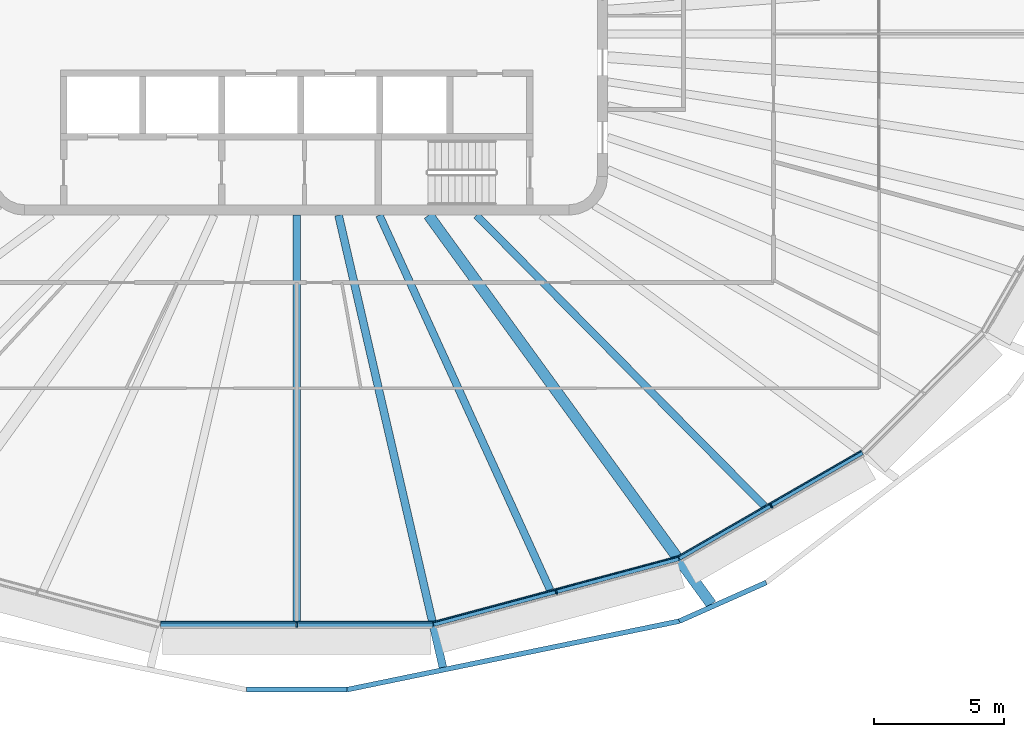
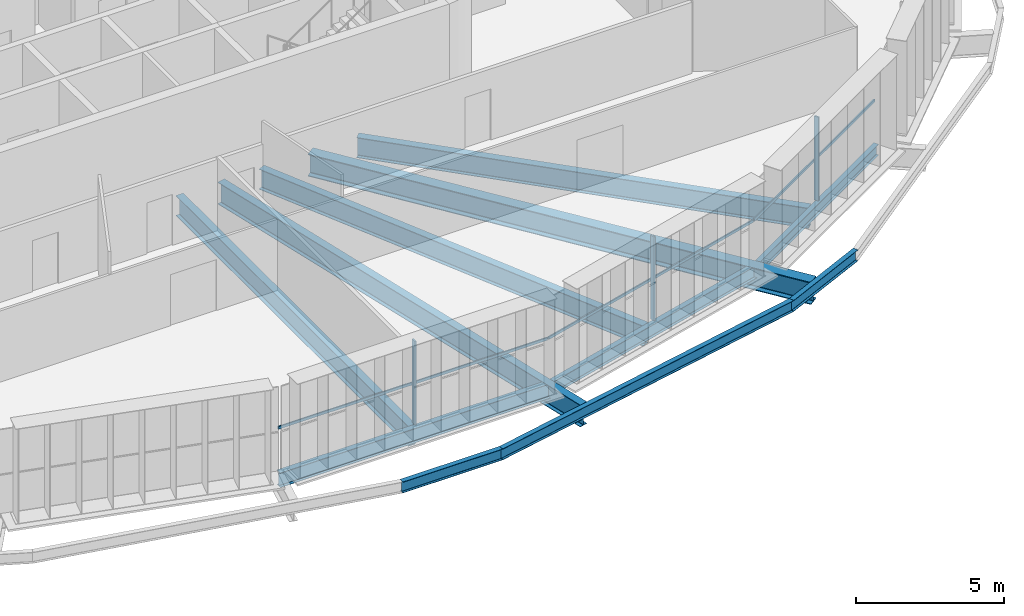
# One storey, part 3 of 20: 11 beams, 6 members, 3 elements without a shape of their own.
"""IFC4 building model written with IfcOpenShell, lengths in metres."""

import ifcopenshell
import ifcopenshell.guid

model = None  # the IFC model being written
_history = None  # IfcOwnerHistory: only IFC2X3 demands one
_inside = {}  # id of a spatial element -> (the spatial element, [elements in it])
_under = {}  # id of a project, library or spatial element -> (it, [spatial elements below it])
_declared = {}  # id of a project -> (the project, [libraries it declares])
_typed = {}  # id of a type object -> (the type object, [elements of that type])
_made_of = {}  # id of a material, layer set ... -> (it, [elements and type objects made of it])


def new_model(schema):
    """Start an empty IFC model of exactly this schema.

    Asked for "IFC4X3", IfcOpenShell would pick the latest addendum, in which some entities
    have other attributes; the version numbers below select the first issue.
    IFC2X3 requires an IfcOwnerHistory on every rooted entity: one is made here for all.
    """
    global model, _history
    if schema == "IFC4X3":
        model = ifcopenshell.file(schema_version=(4, 3, 0, 0))
    else:
        model = ifcopenshell.file(schema=schema)
    _inside.clear()
    _under.clear()
    _declared.clear()
    _typed.clear()
    _made_of.clear()
    _history = None
    if model.schema == "IFC2X3":
        org = make("IfcOrganization", Name="unknown")
        user = make(
            "IfcPersonAndOrganization",
            ThePerson=make("IfcPerson", FamilyName="unknown"),
            TheOrganization=org,
        )
        app = make(
            "IfcApplication",
            ApplicationDeveloper=org,
            Version="unknown",
            ApplicationFullName="unknown",
            ApplicationIdentifier="unknown",
        )
        _history = make(
            "IfcOwnerHistory",
            OwningUser=user,
            OwningApplication=app,
            ChangeAction="ADDED",
            CreationDate=0,
        )
    return model


def make(cls, **values):
    """One entity of the class cls with the attributes given. An attribute that is None is left unset."""
    return model.create_entity(
        cls, **{name: value for name, value in values.items() if value is not None}
    )


def rooted(cls, **values):
    """An entity with a GlobalId (a new one), such as an element, a storey or a relation."""
    return make(cls, GlobalId=ifcopenshell.guid.new(), OwnerHistory=_history, **values)


def si_unit(unit_type, name, prefix=None):
    """IfcSIUnit, for example si_unit("LENGTHUNIT", "METRE", prefix="MILLI")."""
    return make("IfcSIUnit", UnitType=unit_type, Prefix=prefix, Name=name)


def assignment(units):
    """IfcUnitAssignment: the units of a project."""
    return None if units is None else make("IfcUnitAssignment", Units=units)


def point(xyz):
    """IfcCartesianPoint."""
    return None if xyz is None else make("IfcCartesianPoint", Coordinates=xyz)


def direction(xyz):
    """IfcDirection."""
    return None if xyz is None else make("IfcDirection", DirectionRatios=xyz)


def frame(location, z_axis=None, x_axis=None):
    """IfcAxis2Placement3D, a coordinate frame: its origin and axes. An axis left out is left unset."""
    return make(
        "IfcAxis2Placement3D",
        Location=point(location),
        Axis=direction(z_axis),
        RefDirection=direction(x_axis),
    )


def frame_2d(location, x_axis=None):
    """IfcAxis2Placement2D, a coordinate frame in the plane: its origin and x axis."""
    return make(
        "IfcAxis2Placement2D", Location=point(location), RefDirection=direction(x_axis)
    )


def origin():
    """The frame at (0, 0, 0) with its axes left unset."""
    return frame((0.0, 0.0, 0.0))


def origin_2d():
    """The frame at (0, 0) in the plane with its x axis left unset."""
    return frame_2d((0.0, 0.0))


def place(relative_to, where):
    """IfcLocalPlacement: puts the frame where relative to a parent placement (None: the world)."""
    return make(
        "IfcLocalPlacement", PlacementRelTo=relative_to, RelativePlacement=where
    )


def context(
    kind, dimensions, precision=None, world=None, true_north=None, identifier=None
):
    """IfcGeometricRepresentationContext, for example the 3D "Model" context."""
    return make(
        "IfcGeometricRepresentationContext",
        ContextIdentifier=identifier,
        ContextType=kind,
        CoordinateSpaceDimension=dimensions,
        Precision=precision,
        WorldCoordinateSystem=world,
        TrueNorth=true_north,
    )


def subcontext(parent, identifier, kind, view, scale=None):
    """IfcGeometricRepresentationSubContext, for example "Body" below "Model"."""
    return make(
        "IfcGeometricRepresentationSubContext",
        ContextIdentifier=identifier,
        ContextType=kind,
        ParentContext=parent,
        TargetScale=scale,
        TargetView=view,
    )


def project(units=None, contexts=None):
    """IfcProject with its units and contexts."""
    return rooted(
        "IfcProject",
        Name="project",
        RepresentationContexts=contexts,
        UnitsInContext=assignment(units),
    )


def spatial(cls, under=None, at=None, **own):
    """A site, building, storey or space (cls), placed at a placement, below another one or the project."""
    s = rooted(cls, ObjectPlacement=at, **own)
    if under is not None:
        _under.setdefault(under.id(), (under, []))[1].append(s)
    return s


def profile(cls, at=None, kind="AREA", **sizes):
    """A parametric profile (cls). Its sizes go by their IFC names, for example OverallWidth=200.0."""
    return make(cls, ProfileType=kind, Position=at, **sizes)


def rectangle(**sizes):
    """IfcRectangleProfileDef."""
    return profile("IfcRectangleProfileDef", **sizes)


def i_section(**sizes):
    """IfcIShapeProfileDef."""
    return profile("IfcIShapeProfileDef", **sizes)


def extrude(swept, where, along, depth):
    """IfcExtrudedAreaSolid: the profile swept, set in the frame where, extruded along a direction by depth."""
    return make(
        "IfcExtrudedAreaSolid",
        SweptArea=swept,
        Position=where,
        ExtrudedDirection=direction(along),
        Depth=depth,
    )


def shape(context_of_items, identifier, shape_type, items):
    """IfcShapeRepresentation: the items that make up one representation, for example the "Body"."""
    return make(
        "IfcShapeRepresentation",
        ContextOfItems=context_of_items,
        RepresentationIdentifier=identifier,
        RepresentationType=shape_type,
        Items=items,
    )


def material(Name=None, Category=None):
    """IfcMaterial."""
    return make("IfcMaterial", Name=Name, Category=Category)


def layer(
    of_material, thickness, ventilated=None, Name=None, Category=None, Priority=None
):
    """IfcMaterialLayer: one layer of a wall or slab, of a material (None: an air gap)."""
    return make(
        "IfcMaterialLayer",
        Material=of_material,
        LayerThickness=thickness,
        IsVentilated=ventilated,
        Name=Name,
        Category=Category,
        Priority=Priority,
    )


def layer_set(layers, Name=None):
    """IfcMaterialLayerSet."""
    return make("IfcMaterialLayerSet", MaterialLayers=layers, LayerSetName=Name)


def material_profile(
    of_material, cross_section, Name=None, Category=None, Priority=None
):
    """IfcMaterialProfile: a cross section and its material."""
    return make(
        "IfcMaterialProfile",
        Name=Name,
        Material=of_material,
        Profile=cross_section,
        Priority=Priority,
        Category=Category,
    )


def profile_set(profiles, Name=None, composite=None):
    """IfcMaterialProfileSet."""
    return make(
        "IfcMaterialProfileSet",
        Name=Name,
        MaterialProfiles=profiles,
        CompositeProfile=composite,
    )


def made_of(thing, what):
    """Note that an element or type object is made of a material, layer set ...; save() writes the relation."""
    if what is not None:
        _made_of.setdefault(what.id(), (what, []))[1].append(thing)
    return thing


def type_object(cls, material=None, **own):
    """A type object (cls), such as IfcWallType, which elements share."""
    return made_of(rooted(cls, **own), material)


def element(
    cls,
    number,
    at=None,
    inside=None,
    cuts=None,
    type_object=None,
    material=None,
    context=None,
    identifier="Body",
    shape_type=None,
    held_by="IfcProductDefinitionShape",
    body=None,
    shapes=None,
    **own,
):
    """One element of the class cls, such as IfcWall. Its Tag is "e" and its number.

    at: its placement. inside: the storey or other place that contains it. cuts: it is an
    opening in that element (IfcRelVoidsElement). A single representation is given by context,
    identifier, shape_type and body (its items); several are given by shapes. held_by: the class
    of the entity that holds the representations. save() writes the other relations.
    """
    e = rooted(cls, Tag="e%d" % number, ObjectPlacement=at, **own)
    if body is not None:
        shapes = [shape(context, identifier, shape_type, body)]
    if shapes is not None:
        e.Representation = make(held_by, Representations=shapes)
    if inside is not None:
        _inside.setdefault(inside.id(), (inside, []))[1].append(e)
    if cuts is not None:
        rooted(
            "IfcRelVoidsElement", RelatingBuildingElement=cuts, RelatedOpeningElement=e
        )
    if type_object is not None:
        _typed.setdefault(type_object.id(), (type_object, []))[1].append(e)
    return made_of(e, material)


def aggregate(whole, parts):
    """IfcRelAggregates: a whole, such as a stair, and the parts it consists of."""
    return rooted("IfcRelAggregates", RelatingObject=whole, RelatedObjects=parts)


def save(model, path):
    """Write the relations noted so far, then the file.

    IfcRelAggregates (storeys below a building ...), IfcRelContainedInSpatialStructure (elements
    in a storey), IfcRelDefinesByType, IfcRelAssociatesMaterial and IfcRelDeclares: one each for
    every whole, place, type object, material and project.
    """
    for whole, parts in _under.values():
        aggregate(whole, parts)
    for where, things in _inside.values():
        rooted(
            "IfcRelContainedInSpatialStructure",
            RelatedElements=things,
            RelatingStructure=where,
        )
    for kind, things in _typed.values():
        rooted("IfcRelDefinesByType", RelatedObjects=things, RelatingType=kind)
    for what, things in _made_of.values():
        rooted("IfcRelAssociatesMaterial", RelatedObjects=things, RelatingMaterial=what)
    for by, libraries in _declared.values():
        rooted("IfcRelDeclares", RelatingContext=by, RelatedDefinitions=libraries)
    model.write(path)


model = new_model("IFC4")

# Units and contexts
model_context = context("Model", 3, precision=1e-05, world=origin(), true_north=direction((0.0, 1.0)))
body_context = subcontext(model_context, "Body", "Model", "MODEL_VIEW")
ifc_project = project(units=[si_unit("LENGTHUNIT", "METRE"), si_unit("AREAUNIT", "SQUARE_METRE"), si_unit("VOLUMEUNIT", "CUBIC_METRE"), si_unit("PLANEANGLEUNIT", "RADIAN"), si_unit("MASSUNIT", "GRAM", prefix="KILO")], contexts=[model_context])

# Site, building, storey
site_placement = place(None, origin())
site = spatial("IfcSite", under=ifc_project, at=site_placement, CompositionType="ELEMENT")
building_placement = place(site_placement, origin())
building = spatial("IfcBuilding", under=site, at=building_placement, Name="Sahrelin Media Tower", CompositionType="ELEMENT")
storey_placement = place(building_placement, frame((0.0, 0.0, 221.60009765625)))
storey = spatial("IfcBuildingStorey", under=building, at=storey_placement, Name="L47", CompositionType="ELEMENT", Elevation=221.60009765625)

# Beams
ifc_material_1 = material(Name="Steel S355", Category="steel")
ifc_material_profile_1 = material_profile(ifc_material_1, i_section(OverallWidth=0.1904296875, OverallDepth=0.45703125, WebThickness=0.009033203125, FlangeThickness=0.014404296875, FilletRadius=0.01025390625, at=origin_2d()), Name="UB 457x191x74")
ifc_profile_set_1 = profile_set([ifc_material_profile_1], Name="Steel S355")
beam_type_1 = type_object("IfcBeamType", Name="Edge beam EB5", PredefinedType="BEAM", material=ifc_profile_set_1)
beam_1_placement = place(storey_placement, frame((21.826171875, -16.150146484375, -0.378662109375), z_axis=(-0.866014591954, -0.500018726171, 0.0), x_axis=(0.500018726171, -0.866014591954, 0.0)))
element("IfcBeam", 1, at=beam_1_placement, inside=storey, type_object=beam_type_1, Name="Edge beam L47-05", PredefinedType="BEAM", context=body_context, shape_type="SweptSolid", body=[
    extrude(i_section(OverallWidth=0.1904296875, OverallDepth=0.45703125, WebThickness=0.009033203125, FlangeThickness=0.014404296875, FilletRadius=0.01025390625, at=origin_2d()), origin(), (0.0, 0.0, 1.0), 8.155517578125),
])
ifc_material_profile_2 = material_profile(ifc_material_1, i_section(OverallWidth=0.208740234375, OverallDepth=0.5283203125, WebThickness=0.009521484375, FlangeThickness=0.01318359375, FilletRadius=0.0126953125, at=origin_2d()), Name="UB 533x210x82")
ifc_profile_set_2 = profile_set([ifc_material_profile_2], Name="Steel S355")
beam_type_2 = type_object("IfcBeamType", Name="Edge beam EB6", PredefinedType="BEAM", material=ifc_profile_set_2)
beam_2_placement = place(storey_placement, frame((14.73681640625, -20.239013671875, -0.414306640625), z_axis=(-0.965928675472, -0.258808411575, 0.0), x_axis=(0.258808411575, -0.965928675472, 0.0)))
element("IfcBeam", 2, at=beam_2_placement, inside=storey, type_object=beam_type_2, Name="Edge beam L47-06", PredefinedType="BEAM", context=body_context, shape_type="SweptSolid", body=[
    extrude(i_section(OverallWidth=0.208740234375, OverallDepth=0.5283203125, WebThickness=0.009521484375, FlangeThickness=0.01318359375, FilletRadius=0.0126953125, at=origin_2d()), origin(), (0.0, 0.0, 1.0), 9.7861328125),
])
ifc_material_profile_3 = material_profile(ifc_material_1, i_section(OverallWidth=0.2275390625, OverallDepth=0.6025390625, WebThickness=0.010498046875, FlangeThickness=0.014892578125, FilletRadius=0.0126953125, at=origin_2d()), Name="UB 610x229x101")
ifc_profile_set_3 = profile_set([ifc_material_profile_3], Name="Steel S355")
beam_type_3 = type_object("IfcBeamType", Name="Edge beam EB7", PredefinedType="BEAM", material=ifc_profile_set_3)
beam_3_placement = place(storey_placement, frame((5.255615234375, -22.775634765625, -0.451416015625), z_axis=(-1.0, 0.0, 0.0), x_axis=(0.0, -1.0, 0.0)))
element("IfcBeam", 3, at=beam_3_placement, inside=storey, type_object=beam_type_3, Name="Edge beam L47-07", PredefinedType="BEAM", context=body_context, shape_type="SweptSolid", body=[
    extrude(i_section(OverallWidth=0.2275390625, OverallDepth=0.6025390625, WebThickness=0.010498046875, FlangeThickness=0.014892578125, FilletRadius=0.0126953125, at=origin_2d()), origin(), (0.0, 0.0, 1.0), 10.51123046875),
])

# Curtain wall, member
ifc_material_2 = material(Name="Champagne anodised aluminium 6063-T6", Category="aluminium")
ifc_layer = layer(ifc_material_2, 0.14990234375)
ifc_layer_set = layer_set([ifc_layer], Name="Tower ribbon curtain wall")
curtain_wall_type = type_object("IfcCurtainWallType", Name="Tower ribbon curtain wall", PredefinedType="NOTDEFINED", material=ifc_layer_set)
curtain_wall_1_placement = place(storey_placement, frame((0.0, -22.925537109375, 0.0), z_axis=(0.0, 0.0, 1.0), x_axis=(1.0, 0.0, 0.0)))
curtain_wall_1 = element("IfcCurtainWall", 4, at=curtain_wall_1_placement, inside=storey, type_object=curtain_wall_type, Name="L47:CW:L47-18", PredefinedType="NOTDEFINED")
ifc_material_profile_4 = material_profile(ifc_material_2, rectangle(XDim=0.06005859375, YDim=0.175048828125, at=origin_2d()), Name="Mullion 60x175")
ifc_profile_set_4 = profile_set([ifc_material_profile_4], Name="Champagne anodised aluminium 6063-T6")
member_type_1 = type_object("IfcMemberType", Name="Mullion 60x175 CW1B", PredefinedType="MULLION", material=ifc_profile_set_4)
member_1_placement = place(storey_placement, frame((0.0, -22.818115234375, 0.0), z_axis=(0.0, 0.0, 1.0), x_axis=(1.0, 0.0, 0.0)))
member_1 = element("IfcMember", 5, at=member_1_placement, type_object=member_type_1, Name="L47:CWM:L47-18", PredefinedType="MULLION", context=body_context, shape_type="SweptSolid", body=[
    extrude(rectangle(XDim=0.06005859375, YDim=0.175048828125, at=origin_2d()), origin(), (0.0, 0.0, 1.0), 3.448486328125),
])

curtain_wall_2_placement = place(storey_placement, frame((10.04931640625, -21.650390625, 0.0), z_axis=(0.0, 0.0, 1.0), x_axis=(1.0, 0.0, 0.0)))
curtain_wall_2 = element("IfcCurtainWall", 6, at=curtain_wall_2_placement, inside=storey, type_object=curtain_wall_type, Name="L47:CW:L47-19", PredefinedType="NOTDEFINED")
member_2_placement = place(storey_placement, frame((10.021484375, -21.54638671875, 0.0), z_axis=(0.0, 0.0, 1.0), x_axis=(0.965924471102, 0.258824102675, 0.0)))
member_2 = element("IfcMember", 7, at=member_2_placement, type_object=member_type_1, Name="L47:CWM:L47-19", PredefinedType="MULLION", context=body_context, shape_type="SweptSolid", body=[
    extrude(rectangle(XDim=0.06005859375, YDim=0.175048828125, at=origin_2d()), origin(), (0.0, 0.0, 1.0), 3.448486328125),
])

curtain_wall_3_placement = place(storey_placement, frame((18.369873046875, -18.319091796875, 0.0), z_axis=(0.0, 0.0, 1.0), x_axis=(1.0, 0.0, 0.0)))
curtain_wall_3 = element("IfcCurtainWall", 8, at=curtain_wall_3_placement, inside=storey, type_object=curtain_wall_type, Name="L47:CW:L47-20", PredefinedType="NOTDEFINED")
member_3_placement = place(storey_placement, frame((18.31591796875, -18.225830078125, 0.0), z_axis=(0.0, 0.0, 1.0), x_axis=(0.866022785779, 0.500004534492, 0.0)))
member_3 = element("IfcMember", 9, at=member_3_placement, type_object=member_type_1, Name="L47:CWM:L47-20", PredefinedType="MULLION", context=body_context, shape_type="SweptSolid", body=[
    extrude(rectangle(XDim=0.06005859375, YDim=0.175048828125, at=origin_2d()), origin(), (0.0, 0.0, 1.0), 3.448486328125),
])

# Beams
ifc_material_profile_5 = material_profile(ifc_material_1, i_section(OverallWidth=0.30322265625, OverallDepth=0.903076171875, WebThickness=0.01513671875, FlangeThickness=0.020263671875, FilletRadius=0.01904296875, at=origin_2d()), Name="UB 914x305x201")
ifc_profile_set_5 = profile_set([ifc_material_profile_5], Name="Steel S355")
beam_type_4 = type_object("IfcBeamType", Name="Radial primary beam PB11", PredefinedType="BEAM", material=ifc_profile_set_5)
beam_4_placement = place(storey_placement, frame((1.615234375, -7.0, -0.6015625), z_axis=(0.224829640929, -0.974398087313, 0.0), x_axis=(0.974398087313, 0.224829640929, 0.0)))
element("IfcBeam", 10, at=beam_4_placement, inside=storey, type_object=beam_type_4, Name="Radial beam L47-19", PredefinedType="BEAM", context=body_context, shape_type="SweptSolid", body=[
    extrude(i_section(OverallWidth=0.30322265625, OverallDepth=0.903076171875, WebThickness=0.01513671875, FlangeThickness=0.020263671875, FilletRadius=0.01904296875, at=origin_2d()), origin(), (0.0, 0.0, 1.0), 17.91064453125),
])
ifc_material_profile_6 = material_profile(ifc_material_1, i_section(OverallWidth=0.41845703125, OverallDepth=0.911865234375, WebThickness=0.019287109375, FlangeThickness=0.031982421875, FilletRadius=0.024169921875, at=origin_2d()), Name="UB 914x419x343")
ifc_profile_set_6 = profile_set([ifc_material_profile_6], Name="Steel S355")
beam_type_5 = type_object("IfcBeamType", Name="Radial primary beam PB12", PredefinedType="BEAM", material=ifc_profile_set_6)
beam_5_placement = place(storey_placement, frame((5.087646484375, -7.0, -0.60595703125), z_axis=(0.587924542129, -0.808915776063, 0.0), x_axis=(0.808915776063, 0.587924542129, 0.0)))
element("IfcBeam", 11, at=beam_5_placement, inside=storey, type_object=beam_type_5, Name="Radial beam L47-20", PredefinedType="BEAM", context=body_context, shape_type="SweptSolid", body=[
    extrude(i_section(OverallWidth=0.41845703125, OverallDepth=0.911865234375, WebThickness=0.019287109375, FlangeThickness=0.031982421875, FilletRadius=0.024169921875, at=origin_2d()), origin(), (0.0, 0.0, 1.0), 18.56201171875),
])
ifc_material_profile_7 = material_profile(ifc_material_1, i_section(OverallWidth=0.291748046875, OverallDepth=0.8349609375, WebThickness=0.013916015625, FlangeThickness=0.018798828125, FilletRadius=0.017822265625, at=origin_2d()), Name="UB 838x292x176")
ifc_profile_set_7 = profile_set([ifc_material_profile_7], Name="Steel S355")
beam_type_6 = type_object("IfcBeamType", Name="Radial secondary beam SB10", PredefinedType="BEAM", material=ifc_profile_set_7)
beam_6_placement = place(storey_placement, frame((0.0, -7.0, -0.567626953125), z_axis=(0.0, -1.0, 0.0), x_axis=(1.0, 0.0, 0.0)))
element("IfcBeam", 12, at=beam_6_placement, inside=storey, type_object=beam_type_6, Name="Secondary beam L47-18", PredefinedType="BEAM", context=body_context, shape_type="SweptSolid", body=[
    extrude(i_section(OverallWidth=0.291748046875, OverallDepth=0.8349609375, WebThickness=0.013916015625, FlangeThickness=0.018798828125, FilletRadius=0.017822265625, at=origin_2d()), origin(), (0.0, 0.0, 1.0), 15.661865234375),
])
beam_7_placement = place(storey_placement, frame((3.190185546875, -7.0, -0.567626953125), z_axis=(0.41471955526, -0.909949279073, 0.0), x_axis=(0.909949279073, 0.41471955526, 0.0)))
element("IfcBeam", 13, at=beam_7_placement, inside=storey, type_object=beam_type_6, Name="Secondary beam L47-19", PredefinedType="BEAM", context=body_context, shape_type="SweptSolid", body=[
    extrude(i_section(OverallWidth=0.291748046875, OverallDepth=0.8349609375, WebThickness=0.013916015625, FlangeThickness=0.018798828125, FilletRadius=0.017822265625, at=origin_2d()), origin(), (0.0, 0.0, 1.0), 15.889892578125),
])
beam_8_placement = place(storey_placement, frame((6.93310546875, -7.0, -0.567626953125), z_axis=(0.703713507943, -0.71048384833, 0.0), x_axis=(0.71048384833, 0.703713507943, 0.0)))
element("IfcBeam", 14, at=beam_8_placement, inside=storey, type_object=beam_type_6, Name="Secondary beam L47-20", PredefinedType="BEAM", context=body_context, shape_type="SweptSolid", body=[
    extrude(i_section(OverallWidth=0.291748046875, OverallDepth=0.8349609375, WebThickness=0.013916015625, FlangeThickness=0.018798828125, FilletRadius=0.017822265625, at=origin_2d()), origin(), (0.0, 0.0, 1.0), 15.79443359375),
])
ifc_material_profile_8 = material_profile(ifc_material_1, i_section(OverallWidth=0.1904296875, OverallDepth=0.45703125, WebThickness=0.009033203125, FlangeThickness=0.014404296875, FilletRadius=0.01025390625, at=origin_2d()), Name="UB 457x191x74")
ifc_profile_set_8 = profile_set([ifc_material_profile_8], Name="Steel S355")
beam_type_7 = type_object("IfcBeamType", Name="Tie chord TC5", PredefinedType="BEAM", material=ifc_profile_set_8)
beam_9_placement = place(storey_placement, frame((-1.935791015625, -25.313720703125, -0.378662109375), z_axis=(1.0, 0.0, 0.0), x_axis=(0.0, 1.0, 0.0)))
element("IfcBeam", 15, at=beam_9_placement, inside=storey, type_object=beam_type_7, Name="Tie chord L47-18", PredefinedType="BEAM", context=body_context, shape_type="SweptSolid", body=[
    extrude(i_section(OverallWidth=0.1904296875, OverallDepth=0.45703125, WebThickness=0.009033203125, FlangeThickness=0.014404296875, FilletRadius=0.01025390625, at=origin_2d()), origin(), (0.0, 0.0, 1.0), 3.87158203125),
])
beam_10_placement = place(storey_placement, frame((1.935791015625, -25.313720703125, -0.378662109375), z_axis=(0.97939063421, 0.201975210415, 0.0), x_axis=(-0.201975210415, 0.97939063421, 0.0)))
element("IfcBeam", 16, at=beam_10_placement, inside=storey, type_object=beam_type_7, Name="Tie chord L47-19", PredefinedType="BEAM", context=body_context, shape_type="SweptSolid", body=[
    extrude(i_section(OverallWidth=0.1904296875, OverallDepth=0.45703125, WebThickness=0.009033203125, FlangeThickness=0.014404296875, FilletRadius=0.01025390625, at=origin_2d()), origin(), (0.0, 0.0, 1.0), 13.101806640625),
])
beam_11_placement = place(storey_placement, frame((14.767578125, -22.66748046875, -0.378662109375), z_axis=(0.913836241537, 0.406082902439, 0.0), x_axis=(-0.406082902439, 0.913836241537, 0.0)))
element("IfcBeam", 17, at=beam_11_placement, inside=storey, type_object=beam_type_7, Name="Tie chord L47-20", PredefinedType="BEAM", context=body_context, shape_type="SweptSolid", body=[
    extrude(i_section(OverallWidth=0.1904296875, OverallDepth=0.45703125, WebThickness=0.009033203125, FlangeThickness=0.014404296875, FilletRadius=0.01025390625, at=origin_2d()), origin(), (0.0, 0.0, 1.0), 3.669189453125),
])

# Member
ifc_material_profile_9 = material_profile(ifc_material_2, rectangle(XDim=0.050048828125, YDim=0.110107421875, at=origin_2d()), Name="Transom 50x110")
ifc_profile_set_9 = profile_set([ifc_material_profile_9], Name="Champagne anodised aluminium 6063-T6")
member_type_2 = type_object("IfcMemberType", Name="Transom 50x110 CW1B", PredefinedType="USERDEFINED", material=ifc_profile_set_9)
member_4_placement = place(storey_placement, frame((-5.239990234375, -22.70556640625, 1.599853515625), z_axis=(1.0, 0.0, 0.0), x_axis=(0.0, 1.0, 0.0)))
member_4 = element("IfcMember", 18, at=member_4_placement, type_object=member_type_2, Name="L47:CWT:L47-18", ObjectType="TRANSOM", PredefinedType="USERDEFINED", context=body_context, shape_type="SweptSolid", body=[
    extrude(rectangle(XDim=0.050048828125, YDim=0.110107421875, at=origin_2d()), origin(), (0.0, 0.0, 1.0), 10.47998046875),
])

aggregate(curtain_wall_1, [member_1, member_4])

member_5_placement = place(storey_placement, frame((5.28125, -22.7001953125, 1.599853515625), z_axis=(0.965921015367, 0.258836999039, 0.0), x_axis=(-0.258836999039, 0.965921015367, 0.0)))
member_5 = element("IfcMember", 19, at=member_5_placement, type_object=member_type_2, Name="L47:CWT:L47-19", ObjectType="TRANSOM", PredefinedType="USERDEFINED", context=body_context, shape_type="SweptSolid", body=[
    extrude(rectangle(XDim=0.050048828125, YDim=0.110107421875, at=origin_2d()), origin(), (0.0, 0.0, 1.0), 9.7548828125),
])

aggregate(curtain_wall_2, [member_2, member_5])

member_6_placement = place(storey_placement, frame((14.741943359375, -20.159423828125, 1.599853515625), z_axis=(0.866026445548, 0.499998195608, 0.0), x_axis=(-0.499998195608, 0.866026445548, 0.0)))
member_6 = element("IfcMember", 20, at=member_6_placement, type_object=member_type_2, Name="L47:CWT:L47-20", ObjectType="TRANSOM", PredefinedType="USERDEFINED", context=body_context, shape_type="SweptSolid", body=[
    extrude(rectangle(XDim=0.050048828125, YDim=0.110107421875, at=origin_2d()), origin(), (0.0, 0.0, 1.0), 8.1240234375),
])

aggregate(curtain_wall_3, [member_3, member_6])

save(model, "model.ifc")
